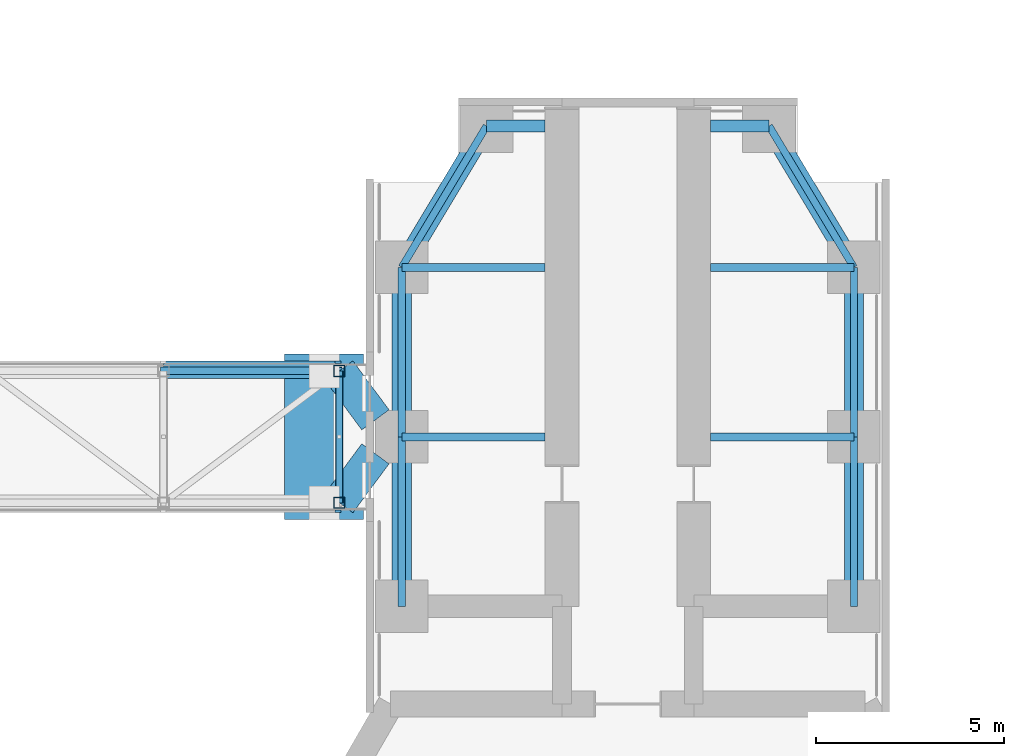
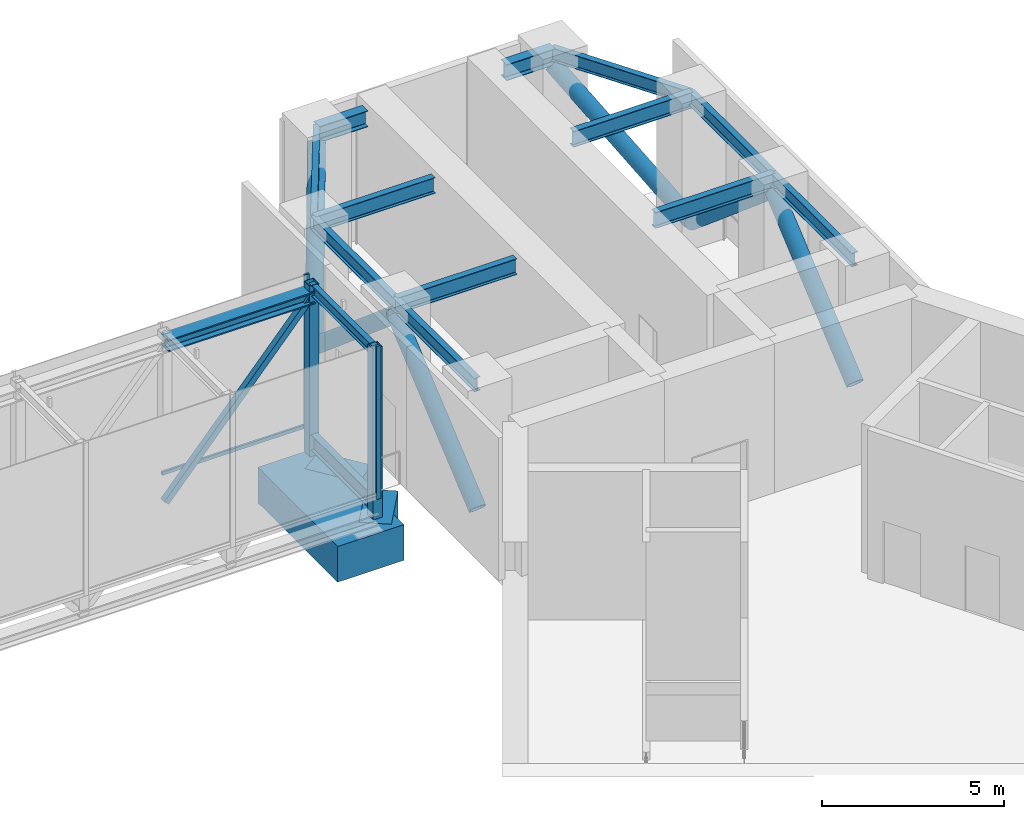
# One storey, part 6 of 17: 17 beams, 13 members, 2 elements without a shape of their own.
"""IFC4 building model written with IfcOpenShell, lengths in metres."""

from ifc_helpers import new_model, si_unit, direction, frame, origin, origin_2d, place, context, subcontext, project, spatial, rectangle, hollow_rectangle, hollow_circle, i_section, extrude, material, material_profile, profile_set, type_object, element, aggregate, save


model = new_model("IFC4")

# Units and contexts
model_context = context("Model", 3, precision=1e-05, world=origin(), true_north=direction((0.0, 1.0)))
body_context = subcontext(model_context, "Body", "Model", "MODEL_VIEW")
ifc_project = project(units=[si_unit("LENGTHUNIT", "METRE"), si_unit("AREAUNIT", "SQUARE_METRE"), si_unit("VOLUMEUNIT", "CUBIC_METRE"), si_unit("PLANEANGLEUNIT", "RADIAN"), si_unit("MASSUNIT", "GRAM", prefix="KILO")], contexts=[model_context])

# Site, building, storey
site_placement = place(None, origin())
site = spatial("IfcSite", under=ifc_project, at=site_placement, CompositionType="ELEMENT")
building_placement = place(site_placement, origin())
building = spatial("IfcBuilding", under=site, at=building_placement, Name="Upepo Twin Towers", CompositionType="ELEMENT")
storey_placement = place(building_placement, frame((0.0, 0.0, 92.5)))
storey = spatial("IfcBuildingStorey", under=building, at=storey_placement, Name="L22", CompositionType="ELEMENT", Elevation=92.5)

# Beams
ifc_material_1 = material(Name="Steel S355", Category="steel")
ifc_material_profile_1 = material_profile(ifc_material_1, i_section(OverallWidth=0.17138671875, OverallDepth=0.35498046875, WebThickness=0.00732421875, FlangeThickness=0.011474609375, FilletRadius=0.01025390625, at=origin_2d()), Name="UB 356x171x51")
ifc_profile_set_1 = profile_set([ifc_material_profile_1], Name="Steel S355")
beam_type_1 = type_object("IfcBeamType", Name="Beam UB 356x171x51", PredefinedType="BEAM", material=ifc_profile_set_1)
beam_1_placement = place(storey_placement, frame((50.840087890625, -1.75, 4.62255859375), z_axis=(0.0, 1.0, 0.0), x_axis=(-1.0, 0.0, 0.0)))
element("IfcBeam", 1, at=beam_1_placement, inside=storey, type_object=beam_type_1, Name="BR1 roof beam 5", PredefinedType="BEAM", context=body_context, shape_type="SweptSolid", body=[
    extrude(i_section(OverallWidth=0.17138671875, OverallDepth=0.35498046875, WebThickness=0.00732421875, FlangeThickness=0.011474609375, FilletRadius=0.01025390625, at=origin_2d()), origin(), (0.0, 0.0, 1.0), 3.5),
])
ifc_material_2 = material(Name="Steel S355", Category="steel")
ifc_material_profile_2 = material_profile(ifc_material_2, i_section(OverallWidth=0.1904296875, OverallDepth=0.45703125, WebThickness=0.009033203125, FlangeThickness=0.014404296875, FilletRadius=0.01025390625, at=origin_2d()), Name="UB 457x191x74")
ifc_profile_set_2 = profile_set([ifc_material_profile_2], Name="Steel S355")
beam_type_2 = type_object("IfcBeamType", Name="Beam UB 457x191x74", PredefinedType="BEAM", material=ifc_profile_set_2)
for number, where, z_axis, x_axis, name in (
    (2, (52.5, -4.5, 4.571533203125), (0.0, 1.0, 0.0), (-1.0, 0.0, 0.0), "T2 edge beam AL 13.5-18.0"),
    (3, (52.5, 0.0, 4.571533203125), (0.0, 1.0, 0.0), (-1.0, 0.0, 0.0), "T2 edge beam AL 18.0-22.5"),
):
    element("IfcBeam", number, at=place(storey_placement, frame(where, z_axis=z_axis, x_axis=x_axis)), inside=storey, type_object=beam_type_2, Name=name, PredefinedType="BEAM", context=body_context, shape_type="SweptSolid", body=[
        extrude(i_section(OverallWidth=0.1904296875, OverallDepth=0.45703125, WebThickness=0.009033203125, FlangeThickness=0.014404296875, FilletRadius=0.01025390625, at=origin_2d()), origin(), (0.0, 0.0, 1.0), 4.5),
    ])
beam_2_placement = place(storey_placement, frame((52.5, 4.5, 4.571533203125), z_axis=(0.514495755428, 0.857492925713, 0.0), x_axis=(-0.857492925713, 0.514495755428, 0.0)))
element("IfcBeam", 4, at=beam_2_placement, inside=storey, type_object=beam_type_2, Name="T2 nose edge beam AL", PredefinedType="BEAM", context=body_context, shape_type="SweptSolid", body=[
    extrude(i_section(OverallWidth=0.1904296875, OverallDepth=0.45703125, WebThickness=0.009033203125, FlangeThickness=0.014404296875, FilletRadius=0.01025390625, at=origin_2d()), origin(), (0.0, 0.0, 1.0), 4.373291015625),
])
for number, where, z_axis, x_axis, name in (
    (5, (64.5, -4.5, 4.571533203125), (0.0, 1.0, 0.0), (-1.0, 0.0, 0.0), "T2 edge beam AR 13.5-18.0"),
    (6, (64.5, 0.0, 4.571533203125), (0.0, 1.0, 0.0), (-1.0, 0.0, 0.0), "T2 edge beam AR 18.0-22.5"),
):
    element("IfcBeam", number, at=place(storey_placement, frame(where, z_axis=z_axis, x_axis=x_axis)), inside=storey, type_object=beam_type_2, Name=name, PredefinedType="BEAM", context=body_context, shape_type="SweptSolid", body=[
        extrude(i_section(OverallWidth=0.1904296875, OverallDepth=0.45703125, WebThickness=0.009033203125, FlangeThickness=0.014404296875, FilletRadius=0.01025390625, at=origin_2d()), origin(), (0.0, 0.0, 1.0), 4.5),
    ])
beam_3_placement = place(storey_placement, frame((64.5, 4.5, 4.571533203125), z_axis=(-0.514495755428, 0.857492925713, 0.0), x_axis=(-0.857492925713, -0.514495755428, 0.0)))
element("IfcBeam", 7, at=beam_3_placement, inside=storey, type_object=beam_type_2, Name="T2 nose edge beam AR", PredefinedType="BEAM", context=body_context, shape_type="SweptSolid", body=[
    extrude(i_section(OverallWidth=0.1904296875, OverallDepth=0.45703125, WebThickness=0.009033203125, FlangeThickness=0.014404296875, FilletRadius=0.01025390625, at=origin_2d()), origin(), (0.0, 0.0, 1.0), 4.373291015625),
])
ifc_material_3 = material(Name="Steel S355", Category="steel")
ifc_material_profile_3 = material_profile(ifc_material_3, i_section(OverallWidth=0.209228515625, OverallDepth=0.533203125, WebThickness=0.010009765625, FlangeThickness=0.015625, FilletRadius=0.0126953125, at=origin_2d()), Name="UB 533x210x92")
ifc_profile_set_3 = profile_set([ifc_material_profile_3], Name="Steel S355")
beam_type_3 = type_object("IfcBeamType", Name="Beam UB 533x210x92", PredefinedType="BEAM", material=ifc_profile_set_3)
for number, where, z_axis, x_axis, name in (
    (8, (52.5, 0.0, 4.533447265625), (1.0, 0.0, 0.0), (0.0, 1.0, 0.0), "T2 girder AL at 18.0"),
    (9, (52.5, 4.5, 4.533447265625), (1.0, 0.0, 0.0), (0.0, 1.0, 0.0), "T2 girder AL at 22.5"),
    (10, (64.5, 0.0, 4.533447265625), (-1.0, 0.0, 0.0), (0.0, -1.0, 0.0), "T2 girder AR at 18.0"),
    (11, (64.5, 4.5, 4.533447265625), (-1.0, 0.0, 0.0), (0.0, -1.0, 0.0), "T2 girder AR at 22.5"),
):
    element("IfcBeam", number, at=place(storey_placement, frame(where, z_axis=z_axis, x_axis=x_axis)), inside=storey, type_object=beam_type_3, Name=name, PredefinedType="BEAM", context=body_context, shape_type="SweptSolid", body=[
        extrude(i_section(OverallWidth=0.209228515625, OverallDepth=0.533203125, WebThickness=0.010009765625, FlangeThickness=0.015625, FilletRadius=0.0126953125, at=origin_2d()), origin(), (0.0, 0.0, 1.0), 3.800048828125),
    ])
beam_4_placement = place(storey_placement, frame((50.840087890625, -1.75, -0.466552734375), z_axis=(0.0, 1.0, 0.0), x_axis=(-1.0, 0.0, 0.0)))
element("IfcBeam", 12, at=beam_4_placement, inside=storey, type_object=beam_type_3, Name="BR1 floor beam 5", PredefinedType="BEAM", context=body_context, shape_type="SweptSolid", body=[
    extrude(i_section(OverallWidth=0.209228515625, OverallDepth=0.533203125, WebThickness=0.010009765625, FlangeThickness=0.015625, FilletRadius=0.0126953125, at=origin_2d()), origin(), (0.0, 0.0, 1.0), 3.5),
])
ifc_material_4 = material(Name="Steel S355", Category="steel")
ifc_material_profile_4 = material_profile(ifc_material_4, i_section(OverallWidth=0.31201171875, OverallDepth=0.54345703125, WebThickness=0.0126953125, FlangeThickness=0.020263671875, FilletRadius=0.0126953125, at=origin_2d()), Name="UB 533x312x150")
ifc_profile_set_4 = profile_set([ifc_material_profile_4], Name="Steel S355")
beam_type_4 = type_object("IfcBeamType", Name="Beam UB 533x312x150", PredefinedType="BEAM", material=ifc_profile_set_4)
for number, where, z_axis, x_axis, name in (
    (13, (54.75, 8.25, 4.5283203125), (1.0, 0.0, 0.0), (0.0, 1.0, 0.0), "T2 nose beam AL"),
    (14, (62.25, 8.25, 4.5283203125), (-1.0, 0.0, 0.0), (0.0, -1.0, 0.0), "T2 nose beam AR"),
):
    element("IfcBeam", number, at=place(storey_placement, frame(where, z_axis=z_axis, x_axis=x_axis)), inside=storey, type_object=beam_type_4, Name=name, PredefinedType="BEAM", context=body_context, shape_type="SweptSolid", body=[
        extrude(i_section(OverallWidth=0.31201171875, OverallDepth=0.54345703125, WebThickness=0.0126953125, FlangeThickness=0.020263671875, FilletRadius=0.0126953125, at=origin_2d()), origin(), (0.0, 0.0, 1.0), 1.550048828125),
    ])

# Members
ifc_material_5 = material(Name="Steel S355", Category="steel")
ifc_material_profile_5 = material_profile(ifc_material_5, hollow_circle(Radius=0.25390625, WallThickness=0.02490234375, at=origin_2d()), Name="CHS 508.0x25.0")
ifc_profile_set_5 = profile_set([ifc_material_profile_5], Name="Steel S355")
member_type_1 = type_object("IfcMemberType", Name="Belt truss diagonal CHS 508.0x25.0", PredefinedType="BRACE", material=ifc_profile_set_5)
for number, where, z_axis, x_axis, name in (
    (15, (52.5, -4.5, 0.39990234375), (0.0, 0.764025829276, 0.645185657155), (-1.0, 0.0, 0.0), "T2 belt truss diagonal AL1"),
    (16, (52.5, 4.5, 0.39990234375), (0.0, -0.764025829276, 0.645185657155), (1.0, 0.0, 0.0), "T2 belt truss diagonal AL2"),
):
    element("IfcMember", number, at=place(storey_placement, frame(where, z_axis=z_axis, x_axis=x_axis)), inside=storey, type_object=member_type_1, Name=name, PredefinedType="BRACE", context=body_context, shape_type="SweptSolid", body=[
        extrude(hollow_circle(Radius=0.25390625, WallThickness=0.02490234375, at=origin_2d()), origin(), (0.0, 0.0, 1.0), 5.889892578125),
    ])
member_1_placement = place(storey_placement, frame((52.5, 4.5, 0.39990234375), z_axis=(0.388362055987, 0.647270093312, 0.655908789218), x_axis=(-0.857492925713, 0.514495755428, 0.0)))
element("IfcMember", 17, at=member_1_placement, inside=storey, type_object=member_type_1, Name="T2 belt truss nose diagonal AL", PredefinedType="BRACE", context=body_context, shape_type="SweptSolid", body=[
    extrude(hollow_circle(Radius=0.25390625, WallThickness=0.02490234375, at=origin_2d()), origin(), (0.0, 0.0, 1.0), 5.79345703125),
])
for number, where, z_axis, x_axis, name in (
    (18, (64.5, -4.5, 0.39990234375), (0.0, 0.764025829276, 0.645185657155), (-1.0, 0.0, 0.0), "T2 belt truss diagonal AR1"),
    (19, (64.5, 4.5, 0.39990234375), (0.0, -0.764025829276, 0.645185657155), (1.0, 0.0, 0.0), "T2 belt truss diagonal AR2"),
):
    element("IfcMember", number, at=place(storey_placement, frame(where, z_axis=z_axis, x_axis=x_axis)), inside=storey, type_object=member_type_1, Name=name, PredefinedType="BRACE", context=body_context, shape_type="SweptSolid", body=[
        extrude(hollow_circle(Radius=0.25390625, WallThickness=0.02490234375, at=origin_2d()), origin(), (0.0, 0.0, 1.0), 5.889892578125),
    ])
member_2_placement = place(storey_placement, frame((64.5, 4.5, 0.39990234375), z_axis=(-0.388362055987, 0.647270093312, 0.655908789218), x_axis=(-0.857492925713, -0.514495755428, 0.0)))
element("IfcMember", 20, at=member_2_placement, inside=storey, type_object=member_type_1, Name="T2 belt truss nose diagonal AR", PredefinedType="BRACE", context=body_context, shape_type="SweptSolid", body=[
    extrude(hollow_circle(Radius=0.25390625, WallThickness=0.02490234375, at=origin_2d()), origin(), (0.0, 0.0, 1.0), 5.79345703125),
])

# Beams
ifc_material_6 = material(Name="Concrete C60/75", Category="concrete")
ifc_material_profile_6 = material_profile(ifc_material_6, rectangle(XDim=0.89990234375, YDim=1.199951171875, at=origin_2d()), Name="RC 900x1200")
ifc_profile_set_6 = profile_set([ifc_material_profile_6], Name="Concrete C60/75")
beam_type_5 = type_object("IfcBeamType", Name="Bridge bearing beam RC 900x1200", PredefinedType="BEAM", material=ifc_profile_set_6)
for number, where, z_axis, x_axis, name in (
    (21, (51.800048828125, -0.449951171875, -1.784423828125), (-0.594012947407, -0.804455479385, 0.0), (0.804455479385, -0.594012947407, 0.0), "BR1 bearing bracket at T2 1"),
    (22, (51.800048828125, 0.449951171875, -1.784423828125), (-0.594012947407, 0.804455479385, 0.0), (-0.804455479385, -0.594012947407, 0.0), "BR1 bearing bracket at T2 2"),
):
    element("IfcBeam", number, at=place(storey_placement, frame(where, z_axis=z_axis, x_axis=x_axis)), inside=storey, type_object=beam_type_5, Name=name, PredefinedType="BEAM", context=body_context, shape_type="SweptSolid", body=[
        extrude(rectangle(XDim=0.89990234375, YDim=1.199951171875, at=origin_2d()), origin(), (0.0, 0.0, 1.0), 1.615966796875),
    ])
ifc_material_7 = material(Name="Concrete C60/75", Category="concrete")
ifc_material_profile_7 = material_profile(ifc_material_7, rectangle(XDim=2.10009765625, YDim=1.199951171875, at=origin_2d()), Name="RC 2100x1200")
ifc_profile_set_7 = profile_set([ifc_material_profile_7], Name="Concrete C60/75")
beam_type_6 = type_object("IfcBeamType", Name="Bridge bearing seat beam RC 2100x1200", PredefinedType="BEAM", material=ifc_profile_set_7)
beam_5_placement = place(storey_placement, frame((50.43994140625, -2.199951171875, -1.784423828125), z_axis=(0.0, 1.0, 0.0), x_axis=(-1.0, 0.0, 0.0)))
element("IfcBeam", 23, at=beam_5_placement, inside=storey, type_object=beam_type_6, Name="BR1 bearing beam at T2", PredefinedType="BEAM", context=body_context, shape_type="SweptSolid", body=[
    extrude(rectangle(XDim=2.10009765625, YDim=1.199951171875, at=origin_2d()), origin(), (0.0, 0.0, 1.0), 4.39990234375),
])

# Members
ifc_material_8 = material(Name="Steel S355", Category="steel")
ifc_material_profile_8 = material_profile(ifc_material_8, i_section(OverallWidth=0.403076171875, OverallDepth=0.406494140625, WebThickness=0.026611328125, FlangeThickness=0.04296875, FilletRadius=0.01513671875, at=origin_2d()), Name="UC 356x406x340")
ifc_profile_set_8 = profile_set([ifc_material_profile_8], Name="Steel S355")
member_type_2 = type_object("IfcMemberType", Name="Bridge chord UC 356x406x340", PredefinedType="CHORD", material=ifc_profile_set_8)
member_3_placement = place(storey_placement, frame((46.172119140625, 1.75, 4.39990234375), z_axis=(1.0, 0.0, 0.0), x_axis=(0.0, 1.0, 0.0)))
element("IfcMember", 24, at=member_3_placement, inside=storey, type_object=member_type_2, Name="BR1 top chord N5", PredefinedType="CHORD", context=body_context, shape_type="SweptSolid", body=[
    extrude(i_section(OverallWidth=0.403076171875, OverallDepth=0.406494140625, WebThickness=0.026611328125, FlangeThickness=0.04296875, FilletRadius=0.01513671875, at=origin_2d()), origin(), (0.0, 0.0, 1.0), 4.66796875),
])
ifc_material_9 = material(Name="Steel S355", Category="steel")
ifc_material_profile_9 = material_profile(ifc_material_9, hollow_rectangle(XDim=0.199951171875, YDim=0.199951171875, WallThickness=0.010009765625, at=origin_2d()), Name="SHS 200x200x10.0")
ifc_profile_set_9 = profile_set([ifc_material_profile_9], Name="Steel S355")
member_type_3 = type_object("IfcMemberType", Name="Bridge diagonal SHS 200x200x10.0", PredefinedType="BRACE", material=ifc_profile_set_9)
member_4_placement = place(storey_placement, frame((46.172119140625, 1.75, -0.936279296875), z_axis=(0.658409523665, 0.0, 0.75265988278), x_axis=(0.0, 1.0, 0.0)))
element("IfcMember", 25, at=member_4_placement, inside=storey, type_object=member_type_3, Name="BR1 diagonal N5", PredefinedType="BRACE", context=body_context, shape_type="SweptSolid", body=[
    extrude(hollow_rectangle(XDim=0.199951171875, YDim=0.199951171875, WallThickness=0.010009765625, at=origin_2d()), origin(), (0.0, 0.0, 1.0), 7.08984375),
])
ifc_material_10 = material(Name="Steel S355", Category="steel")
ifc_material_profile_10 = material_profile(ifc_material_10, hollow_rectangle(XDim=0.300048828125, YDim=0.300048828125, WallThickness=0.012451171875, at=origin_2d()), Name="SHS 300x300x12.5")
ifc_profile_set_10 = profile_set([ifc_material_profile_10], Name="Steel S355")
member_type_4 = type_object("IfcMemberType", Name="Bridge post SHS 300x300x12.5", PredefinedType="POST", material=ifc_profile_set_10)
for number, where, z_axis, x_axis, name in (
    (26, (50.840087890625, 1.75, -0.936279296875), (0.0, 0.0, 1.0), (1.0, 0.0, 0.0), "BR1 end post N5"),
    (27, (50.840087890625, -1.75, -0.936279296875), (0.0, 0.0, 1.0), (1.0, 0.0, 0.0), "BR1 end post S5"),
):
    element("IfcMember", number, at=place(storey_placement, frame(where, z_axis=z_axis, x_axis=x_axis)), inside=storey, type_object=member_type_4, Name=name, PredefinedType="POST", context=body_context, shape_type="SweptSolid", body=[
        extrude(hollow_rectangle(XDim=0.300048828125, YDim=0.300048828125, WallThickness=0.012451171875, at=origin_2d()), origin(), (0.0, 0.0, 1.0), 5.736328125),
    ])

# Curtain wall, member
ifc_material_11 = material(Name="Aluminium and clear glass", Category="aluminium")
curtain_wall_type = type_object("IfcCurtainWallType", Name="Bridge curtain wall BW1", PredefinedType="NOTDEFINED", material=ifc_material_11)
curtain_wall_1_placement = place(storey_placement, origin())
curtain_wall_1 = element("IfcCurtainWall", 28, at=curtain_wall_1_placement, inside=storey, type_object=curtain_wall_type, Name="BR1 curtain wall N", PredefinedType="NOTDEFINED")
ifc_material_12 = material(Name="Aluminium mullion", Category="aluminium")
ifc_material_profile_11 = material_profile(ifc_material_12, rectangle(XDim=0.06494140625, YDim=0.14990234375, at=origin_2d()), Name="MULLION 65x150 BRIDGE")
ifc_profile_set_11 = profile_set([ifc_material_profile_11], Name="Aluminium mullion")
member_type_5 = type_object("IfcMemberType", Name="Mullion 65x150 BW1", PredefinedType="MULLION", material=ifc_profile_set_11)
member_5_placement = place(storey_placement, frame((50.8076171875, 1.97509765625, -0.199951171875), z_axis=(0.0, 0.0, 1.0), x_axis=(0.0, -1.0, 0.0)))
member_5 = element("IfcMember", 29, at=member_5_placement, type_object=member_type_5, Name="BR1 curtain wall N mullion 1", PredefinedType="MULLION", context=body_context, shape_type="SweptSolid", body=[
    extrude(rectangle(XDim=0.06494140625, YDim=0.14990234375, at=origin_2d()), origin(), (0.0, 0.0, 1.0), 5.14990234375),
])

curtain_wall_2_placement = place(storey_placement, origin())
curtain_wall_2 = element("IfcCurtainWall", 30, at=curtain_wall_2_placement, inside=storey, type_object=curtain_wall_type, Name="BR1 curtain wall S", PredefinedType="NOTDEFINED")
member_6_placement = place(storey_placement, frame((50.8076171875, -1.97509765625, -0.199951171875), z_axis=(0.0, 0.0, 1.0), x_axis=(0.0, 1.0, 0.0)))
member_6 = element("IfcMember", 31, at=member_6_placement, type_object=member_type_5, Name="BR1 curtain wall S mullion 6", PredefinedType="MULLION", context=body_context, shape_type="SweptSolid", body=[
    extrude(rectangle(XDim=0.06494140625, YDim=0.14990234375, at=origin_2d()), origin(), (0.0, 0.0, 1.0), 5.14990234375),
])
aggregate(curtain_wall_2, [member_6])

# Member
ifc_material_13 = material(Name="Aluminium transom", Category="aluminium")
ifc_material_profile_12 = material_profile(ifc_material_13, rectangle(XDim=0.06494140625, YDim=0.1201171875, at=origin_2d()), Name="TRANSOM 65x120 BRIDGE")
ifc_profile_set_12 = profile_set([ifc_material_profile_12], Name="Aluminium transom")
member_type_6 = type_object("IfcMemberType", Name="Transom 65x120 BW1", PredefinedType="USERDEFINED", material=ifc_profile_set_12)
member_7_placement = place(storey_placement, frame((50.77490234375, 1.97509765625, -0.139892578125), z_axis=(-1.0, 0.0, 0.0), x_axis=(0.0, -1.0, 0.0)))
member_7 = element("IfcMember", 32, at=member_7_placement, type_object=member_type_6, Name="BR1 curtain wall N transom 1", ObjectType="TRANSOM", PredefinedType="USERDEFINED", context=body_context, shape_type="SweptSolid", body=[
    extrude(rectangle(XDim=0.06494140625, YDim=0.1201171875, at=origin_2d()), origin(), (0.0, 0.0, 1.0), 4.5703125),
])

aggregate(curtain_wall_1, [member_5, member_7])

save(model, "model.ifc")
